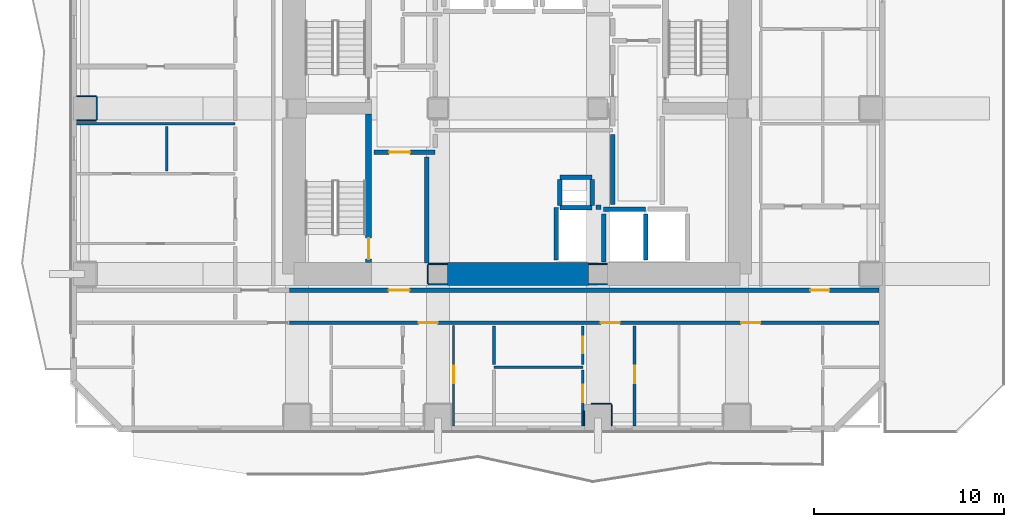
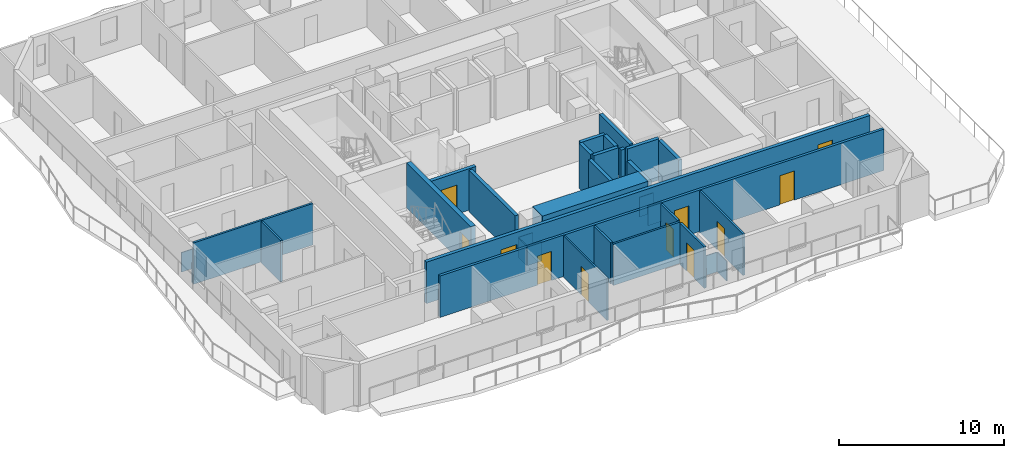
# One storey, part 3 of 12: 35 walls, 11 doors, 11 openings.
"""IFC4 building model written with IfcOpenShell, lengths in metres."""

from ifc_helpers import new_model, si_unit, direction, frame, frame_2d, origin, place, context, subcontext, project, spatial, rectangle, extrude, material, layer, layer_set, type_object, element, fill, save


model = new_model("IFC4")

# Units and contexts
model_context = context("Model", 3, precision=1e-05, world=origin(), true_north=direction((0.0, 1.0)))
body_context = subcontext(model_context, "Body", "Model", "MODEL_VIEW")
ifc_project = project(units=[si_unit("LENGTHUNIT", "METRE"), si_unit("AREAUNIT", "SQUARE_METRE"), si_unit("VOLUMEUNIT", "CUBIC_METRE"), si_unit("PLANEANGLEUNIT", "RADIAN"), si_unit("MASSUNIT", "GRAM", prefix="KILO")], contexts=[model_context])

# Site, building, storey
site_placement = place(None, origin())
site = spatial("IfcSite", under=ifc_project, at=site_placement, CompositionType="ELEMENT")
building_placement = place(site_placement, origin())
building = spatial("IfcBuilding", under=site, at=building_placement, Name="Solanera Arch Residences", CompositionType="ELEMENT")
storey_placement = place(building_placement, frame((0.0, 0.0, 81.760009765625)))
storey = spatial("IfcBuildingStorey", under=building, at=storey_placement, Name="L23", CompositionType="ELEMENT", Elevation=81.760009765625)

# Walls
ifc_material_1 = material(Name="Fire-Rated Gypsum Stud Partition", Category="gypsum")
ifc_layer_1 = layer(ifc_material_1, 0.06005859375)
ifc_layer_set_1 = layer_set([ifc_layer_1], Name="Fire-Rated Gypsum Stud Partition")
wall_type_1 = type_object("IfcWallType", Name="Column Acoustic Furring Wall 60", PredefinedType="PARTITIONING", material=ifc_layer_set_1)
for number, where, z_axis, x_axis, name in (
    (1, (20.300048828125, 21.468017578125, 0.0), (0.0, 0.0, 1.0), (1.0, 0.0, 0.0), "L23 Column Furring 1S"),
    (2, (20.300048828125, 22.531982421875, 0.0), (0.0, 0.0, 1.0), (1.0, 0.0, 0.0), "L23 Column Furring 1N"),
):
    element("IfcWall", number, at=place(storey_placement, frame(where, z_axis=z_axis, x_axis=x_axis)), inside=storey, type_object=wall_type_1, Name=name, PredefinedType="PARTITIONING", context=body_context, shape_type="SweptSolid", body=[
        extrude(rectangle(XDim=0.989990234375, YDim=0.06005859375, at=frame_2d((0.4951171875, 0.0))), origin(), (0.0, 0.0, 1.0), 1.449951171875),
    ])
wall_1_placement = place(storey_placement, frame((20.26806640625, 21.5, 0.0), z_axis=(0.0, 0.0, 1.0), x_axis=(0.0, 1.0, 0.0)))
element("IfcWall", 3, at=wall_1_placement, inside=storey, type_object=wall_type_1, Name="L23 Column Furring 1W", PredefinedType="PARTITIONING", context=body_context, shape_type="SweptSolid", body=[
    extrude(rectangle(XDim=1.0, YDim=0.06005859375, at=frame_2d((0.5, 0.0))), origin(), (0.0, 0.0, 1.0), 1.449951171875),
])
for number, where, z_axis, x_axis, name in (
    (4, (28.7099609375, 21.468017578125, 0.0), (0.0, 0.0, 1.0), (1.0, 0.0, 0.0), "L23 Column Furring 2S"),
    (5, (28.7099609375, 22.531982421875, 0.0), (0.0, 0.0, 1.0), (1.0, 0.0, 0.0), "L23 Column Furring 2N"),
):
    element("IfcWall", number, at=place(storey_placement, frame(where, z_axis=z_axis, x_axis=x_axis)), inside=storey, type_object=wall_type_1, Name=name, PredefinedType="PARTITIONING", context=body_context, shape_type="SweptSolid", body=[
        extrude(rectangle(XDim=0.97998046875, YDim=0.06005859375, at=frame_2d((0.489990234375, 0.0))), origin(), (0.0, 0.0, 1.0), 1.449951171875),
    ])
wall_2_placement = place(storey_placement, frame((28.84912109375, 15.181884765625, 0.0), z_axis=(0.0, 0.0, 1.0), x_axis=(1.0, 0.0, 0.0)))
element("IfcWall", 6, at=wall_2_placement, inside=storey, type_object=wall_type_1, Name="L23 Column Furring 13N", PredefinedType="PARTITIONING", context=body_context, shape_type="SweptSolid", body=[
    extrude(rectangle(XDim=1.05078125, YDim=0.06005859375, at=frame_2d((0.525390625, 0.0))), origin(), (0.0, 0.0, 1.0), 1.449951171875),
])
wall_3_placement = place(storey_placement, frame((28.468017578125, 14.030029296875, 0.0), z_axis=(0.0, 0.0, 1.0), x_axis=(0.0, 1.0, 0.0)))
element("IfcWall", 7, at=wall_3_placement, inside=storey, type_object=wall_type_1, Name="L23 Column Furring 13W", PredefinedType="PARTITIONING", context=body_context, shape_type="SweptSolid", body=[
    extrude(rectangle(XDim=0.800048828125, YDim=0.06005859375, at=frame_2d((0.39990234375, 0.0))), origin(), (0.0, 0.0, 1.0), 1.449951171875),
])
wall_4_placement = place(storey_placement, frame((29.931884765625, 14.030029296875, 0.0), z_axis=(0.0, 0.0, 1.0), x_axis=(0.0, 1.0, 0.0)))
element("IfcWall", 8, at=wall_4_placement, inside=storey, type_object=wall_type_1, Name="L23 Column Furring 13E", PredefinedType="PARTITIONING", context=body_context, shape_type="SweptSolid", body=[
    extrude(rectangle(XDim=1.119873046875, YDim=0.06005859375, at=frame_2d((0.56005859375, 0.0))), origin(), (0.0, 0.0, 1.0), 1.449951171875),
])
for number, where, z_axis, x_axis, name in (
    (9, (1.830078125, 30.068115234375, 0.0), (0.0, 0.0, 1.0), (1.0, 0.0, 0.0), "L23 Column Furring 19S"),
    (10, (1.830078125, 31.33203125, 0.0), (0.0, 0.0, 1.0), (1.0, 0.0, 0.0), "L23 Column Furring 19N"),
):
    element("IfcWall", number, at=place(storey_placement, frame(where, z_axis=z_axis, x_axis=x_axis)), inside=storey, type_object=wall_type_1, Name=name, PredefinedType="PARTITIONING", context=body_context, shape_type="SweptSolid", body=[
        extrude(rectangle(XDim=1.02001953125, YDim=0.06005859375, at=frame_2d((0.510009765625, 0.0))), origin(), (0.0, 0.0, 1.0), 1.449951171875),
    ])
wall_5_placement = place(storey_placement, frame((2.882080078125, 30.10009765625, 0.0), z_axis=(0.0, 0.0, 1.0), x_axis=(0.0, 1.0, 0.0)))
element("IfcWall", 11, at=wall_5_placement, inside=storey, type_object=wall_type_1, Name="L23 Column Furring 19E", PredefinedType="PARTITIONING", context=body_context, shape_type="SweptSolid", body=[
    extrude(rectangle(XDim=1.199951171875, YDim=0.06005859375, at=frame_2d((0.60009765625, 0.0))), origin(), (0.0, 0.0, 1.0), 1.449951171875),
])
ifc_material_2 = material(Name="Concrete C55/67 (f'c = 60 MPa)", Category="concrete")
ifc_layer_2 = layer(ifc_material_2, 1.199951171875)
ifc_layer_set_2 = layer_set([ifc_layer_2], Name="Concrete C55/67 (f'c = 60 MPa)")
wall_type_2 = type_object("IfcWallType", Name="Core Shear Wall CW-1200", PredefinedType="SHEAR", material=ifc_layer_set_2)
wall_6_placement = place(storey_placement, frame((21.304931640625, 22.0, 0.0), z_axis=(0.0, 0.0, 1.0), x_axis=(1.0, 0.0, 0.0)))
element("IfcWall", 12, at=wall_6_placement, inside=storey, type_object=wall_type_2, Name="L23 Central South Core Shear Wall", PredefinedType="SHEAR", context=body_context, shape_type="SweptSolid", body=[
    extrude(rectangle(XDim=7.39013671875, YDim=1.199951171875, at=frame_2d((3.695068359375, 0.0))), origin(), (0.0, 0.0, 1.0), 3.320068359375),
])

# Wall, opening, door
ifc_material_3 = material(Name="Concrete C40/50 (f'c = 45 MPa)", Category="concrete")
ifc_layer_3 = layer(ifc_material_3, 0.320068359375)
ifc_layer_set_3 = layer_set([ifc_layer_3], Name="Concrete C40/50 (f'c = 45 MPa)")
wall_type_3 = type_object("IfcWallType", Name="Core Shear Wall CW-320", PredefinedType="SHEAR", material=ifc_layer_set_3)
wall_7_placement = place(storey_placement, frame((17.159912109375, 22.60009765625, 0.0), z_axis=(0.0, 0.0, 1.0), x_axis=(0.0, 1.0, 0.0)))
wall_7 = element("IfcWall", 13, at=wall_7_placement, inside=storey, type_object=wall_type_3, Name="L23 Stair ST-T3 East Shear Wall", PredefinedType="SHEAR", context=body_context, shape_type="SweptSolid", body=[
    extrude(rectangle(XDim=7.7998046875, YDim=0.320068359375, at=frame_2d((3.89990234375, 0.0))), origin(), (0.0, 0.0, 1.0), 3.320068359375),
])
opening_1_placement = place(wall_7_placement, frame((0.18994140625, 0.0, 0.0)))
opening_1 = element("IfcOpeningElement", 14, at=opening_1_placement, cuts=wall_7, Name="Opening DF-01", PredefinedType="OPENING", context=body_context, shape_type="SweptSolid", body=[
    extrude(rectangle(XDim=1.10009765625, YDim=2.14990234375, at=frame_2d((0.550048828125, 1.074951171875))), frame((0.0, 0.169921875, 0.0), z_axis=(0.0, -1.0, 0.0), x_axis=(1.0, 0.0, 0.0)), (0.0, 0.0, 1.0), 0.3401),
])
ifc_material_4 = material(Name="Fire-Rated Architectural Hardwood", Category="wood")
door_type_1 = type_object("IfcDoorType", Name="Stair Exit Fire Door DF-01", OperationType="NOTDEFINED", PredefinedType="DOOR", material=ifc_material_4)
door_1_placement = place(opening_1_placement, origin())
door_1 = element("IfcDoor", 15, at=door_1_placement, inside=storey, type_object=door_type_1, Name="DR-L23-STAIR-ST-T3", OperationType="SINGLE_SWING_RIGHT", OverallHeight=2.14990234375, OverallWidth=1.10009765625, PredefinedType="DOOR", context=body_context, shape_type="SweptSolid", body=[
    extrude(rectangle(XDim=1.10009765625, YDim=2.14990234375, at=frame_2d((0.550048828125, 1.074951171875))), frame((0.0, 0.02490234375, 0.0), z_axis=(0.0, -1.0, 0.0), x_axis=(1.0, 0.0, 0.0)), (0.0, 0.0, 1.0), 0.050048828125),
])
fill(opening_1, door_1)

# Wall, openings, doors
ifc_material_5 = material(Name="Autoclaved Aerated Concrete Blockwork", Category="masonry")
ifc_layer_4 = layer(ifc_material_5, 0.179931640625)
ifc_layer_set_4 = layer_set([ifc_layer_4], Name="Autoclaved Aerated Concrete Blockwork")
wall_type_4 = type_object("IfcWallType", Name="Corridor Fire Partition 180", PredefinedType="PARTITIONING", material=ifc_layer_set_4)
wall_8_placement = place(storey_placement, frame((12.992919921875, 19.449951171875, 0.0), z_axis=(0.0, 0.0, 1.0), x_axis=(1.0, 0.0, 0.0)))
wall_8 = element("IfcWall", 16, at=wall_8_placement, inside=storey, type_object=wall_type_4, Name="L23 Interior Partition H8 3", PredefinedType="PARTITIONING", context=body_context, shape_type="SweptSolid", body=[
    extrude(rectangle(XDim=30.97998046875, YDim=0.179931640625, at=frame_2d((15.489990234375, 0.0))), origin(), (0.0, 0.0, 1.0), 3.06005859375),
])
opening_2_placement = place(wall_8_placement, frame((6.7880859375, 0.0, 0.0)))
opening_2 = element("IfcOpeningElement", 17, at=opening_2_placement, cuts=wall_8, Name="Opening DI-01", PredefinedType="OPENING", context=body_context, shape_type="SweptSolid", body=[
    extrude(rectangle(XDim=1.0, YDim=2.14990234375, at=frame_2d((0.5, 1.074951171875))), frame((0.0, 0.10009765625, 0.0), z_axis=(0.0, -1.0, 0.0), x_axis=(1.0, 0.0, 0.0)), (0.0, 0.0, 1.0), 0.1999),
])
opening_3_placement = place(wall_8_placement, frame((16.35595703125, 0.0, 0.0)))
opening_3 = element("IfcOpeningElement", 18, at=opening_3_placement, cuts=wall_8, Name="Opening DI-01", PredefinedType="OPENING", context=body_context, shape_type="SweptSolid", body=[
    extrude(rectangle(XDim=1.0, YDim=2.14990234375, at=frame_2d((0.5, 1.074951171875))), frame((0.0, 0.10009765625, 0.0), z_axis=(0.0, -1.0, 0.0), x_axis=(1.0, 0.0, 0.0)), (0.0, 0.0, 1.0), 0.1999),
])
opening_4_placement = place(wall_8_placement, frame((23.73291015625, 0.0, 0.0)))
opening_4 = element("IfcOpeningElement", 19, at=opening_4_placement, cuts=wall_8, Name="Opening DI-01", PredefinedType="OPENING", context=body_context, shape_type="SweptSolid", body=[
    extrude(rectangle(XDim=1.0, YDim=2.14990234375, at=frame_2d((0.5, 1.074951171875))), frame((0.0, 0.10009765625, 0.0), z_axis=(0.0, -1.0, 0.0), x_axis=(1.0, 0.0, 0.0)), (0.0, 0.0, 1.0), 0.1999),
])
ifc_material_6 = material(Name="Fire-Rated Architectural Hardwood", Category="wood")
door_type_2 = type_object("IfcDoorType", Name="Unit Entrance Fire Door DI-01", OperationType="NOTDEFINED", PredefinedType="DOOR", material=ifc_material_6)
door_2_placement = place(opening_2_placement, origin())
door_2 = element("IfcDoor", 20, at=door_2_placement, inside=storey, type_object=door_type_2, Name="DR-L23-IN-016", OperationType="SINGLE_SWING_LEFT", OverallHeight=2.14990234375, OverallWidth=1.0, PredefinedType="DOOR", context=body_context, shape_type="SweptSolid", body=[
    extrude(rectangle(XDim=1.0, YDim=2.14990234375, at=frame_2d((0.5, 1.074951171875))), frame((0.0, 0.02490234375, 0.0), z_axis=(0.0, -1.0, 0.0), x_axis=(1.0, 0.0, 0.0)), (0.0, 0.0, 1.0), 0.050048828125),
])
fill(opening_2, door_2)
door_3_placement = place(opening_3_placement, origin())
door_3 = element("IfcDoor", 21, at=door_3_placement, inside=storey, type_object=door_type_2, Name="DR-L23-IN-020", OperationType="SINGLE_SWING_LEFT", OverallHeight=2.14990234375, OverallWidth=1.0, PredefinedType="DOOR", context=body_context, shape_type="SweptSolid", body=[
    extrude(rectangle(XDim=1.0, YDim=2.14990234375, at=frame_2d((0.5, 1.074951171875))), frame((0.0, 0.02490234375, 0.0), z_axis=(0.0, -1.0, 0.0), x_axis=(1.0, 0.0, 0.0)), (0.0, 0.0, 1.0), 0.050048828125),
])
fill(opening_3, door_3)
door_4_placement = place(opening_4_placement, origin())
door_4 = element("IfcDoor", 22, at=door_4_placement, inside=storey, type_object=door_type_2, Name="DR-L23-IN-024", OperationType="SINGLE_SWING_LEFT", OverallHeight=2.14990234375, OverallWidth=1.0, PredefinedType="DOOR", context=body_context, shape_type="SweptSolid", body=[
    extrude(rectangle(XDim=1.0, YDim=2.14990234375, at=frame_2d((0.5, 1.074951171875))), frame((0.0, 0.02490234375, 0.0), z_axis=(0.0, -1.0, 0.0), x_axis=(1.0, 0.0, 0.0)), (0.0, 0.0, 1.0), 0.050048828125),
])
fill(opening_4, door_4)

# Walls
ifc_material_7 = material(Name="Concrete C40/50 (f'c = 45 MPa)", Category="concrete")
ifc_layer_5 = layer(ifc_material_7, 0.239990234375)
ifc_layer_set_5 = layer_set([ifc_layer_5], Name="Concrete C40/50 (f'c = 45 MPa)")
wall_type_5 = type_object("IfcWallType", Name="Ramp Bearing Shear Wall RW-240", PredefinedType="SHEAR", material=ifc_layer_set_5)
for number, where, z_axis, x_axis, name in (
    (23, (27.199951171875, 25.47998046875, 0.0), (0.0, 0.0, 1.0), (1.0, 0.0, 0.0), "L23 Core MEP Riser South Shaft Wall"),
    (24, (27.199951171875, 27.080078125, 0.0), (0.0, 0.0, 1.0), (1.0, 0.0, 0.0), "L23 Core MEP Riser North Shaft Wall"),
):
    element("IfcWall", number, at=place(storey_placement, frame(where, z_axis=z_axis, x_axis=x_axis)), inside=storey, type_object=wall_type_5, Name=name, PredefinedType="SHEAR", context=body_context, shape_type="SweptSolid", body=[
        extrude(rectangle(XDim=1.699951171875, YDim=0.239990234375, at=frame_2d((0.85009765625, 0.0))), origin(), (0.0, 0.0, 1.0), 3.320068359375),
    ])
for number, where, z_axis, x_axis, name in (
    (25, (27.199951171875, 25.60009765625, 0.0), (0.0, 0.0, 1.0), (0.0, 1.0, 0.0), "L23 Core MEP Riser West Shaft Wall"),
    (26, (28.89990234375, 25.60009765625, 0.0), (0.0, 0.0, 1.0), (0.0, 1.0, 0.0), "L23 Core MEP Riser East Shaft Wall"),
):
    element("IfcWall", number, at=place(storey_placement, frame(where, z_axis=z_axis, x_axis=x_axis)), inside=storey, type_object=wall_type_5, Name=name, PredefinedType="SHEAR", context=body_context, shape_type="SweptSolid", body=[
        extrude(rectangle(XDim=1.35986328125, YDim=0.239990234375, at=frame_2d((0.679931640625, 0.0))), origin(), (0.0, 0.0, 1.0), 3.320068359375),
    ])
ifc_material_8 = material(Name="Autoclaved Aerated Concrete Blockwork", Category="masonry")
ifc_layer_6 = layer(ifc_material_8, 0.239990234375)
ifc_layer_set_6 = layer_set([ifc_layer_6], Name="Autoclaved Aerated Concrete Blockwork")
wall_type_6 = type_object("IfcWallType", Name="Shaft Wall Fire-Rated 240", PredefinedType="PARTITIONING", material=ifc_layer_set_6)
wall_9_placement = place(storey_placement, frame((29.5, 25.39990234375, 0.0), z_axis=(0.0, 0.0, 1.0), x_axis=(1.0, 0.0, 0.0)))
element("IfcWall", 27, at=wall_9_placement, inside=storey, type_object=wall_type_6, Name="L23 Lift FFL-1 Hoistway Wall N", PredefinedType="PARTITIONING", context=body_context, shape_type="SweptSolid", body=[
    extrude(rectangle(XDim=2.199951171875, YDim=0.239990234375, at=frame_2d((1.10009765625, 0.0))), origin(), (0.0, 0.0, 1.0), 3.06005859375),
])
wall_10_placement = place(storey_placement, frame((29.5, 22.632080078125, 0.0), z_axis=(0.0, 0.0, 1.0), x_axis=(0.0, 1.0, 0.0)))
element("IfcWall", 28, at=wall_10_placement, inside=storey, type_object=wall_type_6, Name="L23 Lift FFL-1 Hoistway Wall W", PredefinedType="PARTITIONING", context=body_context, shape_type="SweptSolid", body=[
    extrude(rectangle(XDim=2.52001953125, YDim=0.239990234375, at=frame_2d((1.260009765625, 0.0))), origin(), (0.0, 0.0, 1.0), 2.294921875),
])
wall_11_placement = place(storey_placement, frame((31.699951171875, 22.72998046875, 0.0), z_axis=(0.0, 0.0, 1.0), x_axis=(0.0, 1.0, 0.0)))
element("IfcWall", 29, at=wall_11_placement, inside=storey, type_object=wall_type_6, Name="L23 Lift FFL-1 Hoistway Wall E", PredefinedType="PARTITIONING", context=body_context, shape_type="SweptSolid", body=[
    extrude(rectangle(XDim=2.422119140625, YDim=0.239990234375, at=frame_2d((1.2109375, 0.0))), origin(), (0.0, 0.0, 1.0), 3.06005859375),
])
wall_12_placement = place(storey_placement, frame((29.10302734375, 25.5, 0.0), z_axis=(0.0, 0.0, 1.0), x_axis=(1.0, 0.0, 0.0)))
element("IfcWall", 30, at=wall_12_placement, inside=storey, type_object=wall_type_6, Name="L23 Lift SVL-1 Hoistway Wall N", PredefinedType="PARTITIONING", context=body_context, shape_type="SweptSolid", body=[
    extrude(rectangle(XDim=0.26904296875, YDim=0.239990234375, at=frame_2d((0.134521484375, 0.0))), origin(), (0.0, 0.0, 1.0), 3.06005859375),
])
wall_13_placement = place(storey_placement, frame((27.0, 22.72998046875, 0.0), z_axis=(0.0, 0.0, 1.0), x_axis=(0.0, 1.0, 0.0)))
element("IfcWall", 31, at=wall_13_placement, inside=storey, type_object=wall_type_6, Name="L23 Lift SVL-1 Hoistway Wall W", PredefinedType="PARTITIONING", context=body_context, shape_type="SweptSolid", body=[
    extrude(rectangle(XDim=2.76806640625, YDim=0.239990234375, at=frame_2d((1.384033203125, 0.0))), origin(), (0.0, 0.0, 1.0), 3.06005859375),
])

# Wall, openings, doors
wall_14_placement = place(storey_placement, frame((12.992919921875, 21.14990234375, 0.0), z_axis=(0.0, 0.0, 1.0), x_axis=(1.0, 0.0, 0.0)))
wall_14 = element("IfcWall", 32, at=wall_14_placement, inside=storey, type_object=wall_type_6, Name="L23 Interior Partition H1 3", PredefinedType="PARTITIONING", context=body_context, shape_type="SweptSolid", body=[
    extrude(rectangle(XDim=30.97998046875, YDim=0.239990234375, at=frame_2d((15.489990234375, 0.0))), origin(), (0.0, 0.0, 1.0), 3.06005859375),
])
opening_5_placement = place(wall_14_placement, frame((5.217041015625, 0.0, 0.0)))
opening_5 = element("IfcOpeningElement", 33, at=opening_5_placement, cuts=wall_14, Name="Opening DF-02", PredefinedType="OPENING", context=body_context, shape_type="SweptSolid", body=[
    extrude(rectangle(XDim=1.10009765625, YDim=2.14990234375, at=frame_2d((0.550048828125, 1.074951171875))), frame((0.0, 0.1298828125, 0.0), z_axis=(0.0, -1.0, 0.0), x_axis=(1.0, 0.0, 0.0)), (0.0, 0.0, 1.0), 0.26),
])
opening_6_placement = place(wall_14_placement, frame((27.35791015625, 0.0, 0.0)))
opening_6 = element("IfcOpeningElement", 34, at=opening_6_placement, cuts=wall_14, Name="Opening DI-01", PredefinedType="OPENING", context=body_context, shape_type="SweptSolid", body=[
    extrude(rectangle(XDim=1.0, YDim=2.14990234375, at=frame_2d((0.5, 1.074951171875))), frame((0.0, 0.1298828125, 0.0), z_axis=(0.0, -1.0, 0.0), x_axis=(1.0, 0.0, 0.0)), (0.0, 0.0, 1.0), 0.26),
])
ifc_material_9 = material(Name="Fire-Rated Architectural Hardwood", Category="wood")
door_type_3 = type_object("IfcDoorType", Name="Firefighting Lobby Fire Door DF-02", OperationType="NOTDEFINED", PredefinedType="DOOR", material=ifc_material_9)
door_5_placement = place(opening_5_placement, origin())
door_5 = element("IfcDoor", 35, at=door_5_placement, inside=storey, type_object=door_type_3, Name="DR-L23-IN-008", OperationType="SINGLE_SWING_LEFT", OverallHeight=2.14990234375, OverallWidth=1.10009765625, PredefinedType="DOOR", context=body_context, shape_type="SweptSolid", body=[
    extrude(rectangle(XDim=1.10009765625, YDim=2.14990234375, at=frame_2d((0.550048828125, 1.074951171875))), frame((0.0, 0.02490234375, 0.0), z_axis=(0.0, -1.0, 0.0), x_axis=(1.0, 0.0, 0.0)), (0.0, 0.0, 1.0), 0.050048828125),
])
fill(opening_5, door_5)
door_6_placement = place(opening_6_placement, origin())
door_6 = element("IfcDoor", 36, at=door_6_placement, inside=storey, type_object=door_type_2, Name="DR-L23-IN-050", OperationType="SINGLE_SWING_LEFT", OverallHeight=2.14990234375, OverallWidth=1.0, PredefinedType="DOOR", context=body_context, shape_type="SweptSolid", body=[
    extrude(rectangle(XDim=1.0, YDim=2.14990234375, at=frame_2d((0.5, 1.074951171875))), frame((0.0, 0.02490234375, 0.0), z_axis=(0.0, -1.0, 0.0), x_axis=(1.0, 0.0, 0.0)), (0.0, 0.0, 1.0), 0.050048828125),
])
fill(opening_6, door_6)

# Wall, opening, door
wall_15_placement = place(storey_placement, frame((17.449951171875, 28.39990234375, 0.0), z_axis=(0.0, 0.0, 1.0), x_axis=(1.0, 0.0, 0.0)))
wall_15 = element("IfcWall", 37, at=wall_15_placement, inside=storey, type_object=wall_type_6, Name="L23 Interior Partition H4", PredefinedType="PARTITIONING", context=body_context, shape_type="SweptSolid", body=[
    extrude(rectangle(XDim=3.199951171875, YDim=0.239990234375, at=frame_2d((1.60009765625, 0.0))), origin(), (0.0, 0.0, 1.0), 3.06005859375),
])
opening_7_placement = place(wall_15_placement, frame((0.783935546875, 0.0, 0.0)))
opening_7 = element("IfcOpeningElement", 38, at=opening_7_placement, cuts=wall_15, Name="Opening DF-02", PredefinedType="OPENING", context=body_context, shape_type="SweptSolid", body=[
    extrude(rectangle(XDim=1.10009765625, YDim=2.14990234375, at=frame_2d((0.550048828125, 1.074951171875))), frame((0.0, 0.1298828125, 0.0), z_axis=(0.0, -1.0, 0.0), x_axis=(1.0, 0.0, 0.0)), (0.0, 0.0, 1.0), 0.26),
])
door_7_placement = place(opening_7_placement, origin())
door_7 = element("IfcDoor", 39, at=door_7_placement, inside=storey, type_object=door_type_3, Name="DR-L23-IN-004", OperationType="SINGLE_SWING_LEFT", OverallHeight=2.14990234375, OverallWidth=1.10009765625, PredefinedType="DOOR", context=body_context, shape_type="SweptSolid", body=[
    extrude(rectangle(XDim=1.10009765625, YDim=2.14990234375, at=frame_2d((0.550048828125, 1.074951171875))), frame((0.0, 0.02490234375, 0.0), z_axis=(0.0, -1.0, 0.0), x_axis=(1.0, 0.0, 0.0)), (0.0, 0.0, 1.0), 0.050048828125),
])
fill(opening_7, door_7)

# Walls
wall_16_placement = place(storey_placement, frame((20.199951171875, 22.5859375, 0.0), z_axis=(0.0, 0.0, 1.0), x_axis=(0.0, 1.0, 0.0)))
element("IfcWall", 40, at=wall_16_placement, inside=storey, type_object=wall_type_6, Name="L23 Interior Partition V2", PredefinedType="PARTITIONING", context=body_context, shape_type="SweptSolid", body=[
    extrude(rectangle(XDim=5.566162109375, YDim=0.239990234375, at=frame_2d((2.783203125, 0.0))), origin(), (0.0, 0.0, 1.0), 3.06005859375),
])
wall_17_placement = place(storey_placement, frame((29.97509765625, 25.64794921875, 0.0), z_axis=(0.0, 0.0, 1.0), x_axis=(0.0, 1.0, 0.0)))
element("IfcWall", 41, at=wall_17_placement, inside=storey, type_object=wall_type_6, Name="L23 Interior Partition V4 1", PredefinedType="PARTITIONING", context=body_context, shape_type="SweptSolid", body=[
    extrude(rectangle(XDim=3.68408203125, YDim=0.239990234375, at=frame_2d((1.842041015625, 0.0))), origin(), (0.0, 0.0, 1.0), 3.06005859375),
])

# Wall, opening, door
ifc_material_10 = material(Name="Fire-Rated Gypsum Stud Partition", Category="gypsum")
ifc_layer_7 = layer(ifc_material_10, 0.1201171875)
ifc_layer_set_7 = layer_set([ifc_layer_7], Name="Fire-Rated Gypsum Stud Partition")
wall_type_7 = type_object("IfcWallType", Name="Unit Drywall Partition 120", PredefinedType="PARTITIONING", material=ifc_layer_set_7)
wall_18_placement = place(storey_placement, frame((21.6201171875, 14.027099609375, 0.0), z_axis=(0.0, 0.0, 1.0), x_axis=(0.0, 1.0, 0.0)))
wall_18 = element("IfcWall", 42, at=wall_18_placement, inside=storey, type_object=wall_type_7, Name="L23 Interior Partition V29", PredefinedType="PARTITIONING", context=body_context, shape_type="SweptSolid", body=[
    extrude(rectangle(XDim=5.264892578125, YDim=0.1201171875, at=frame_2d((2.63232421875, 0.0))), origin(), (0.0, 0.0, 1.0), 3.06005859375),
])
opening_8_placement = place(wall_18_placement, frame((2.248046875, 0.0, 0.0)))
opening_8 = element("IfcOpeningElement", 43, at=opening_8_placement, cuts=wall_18, Name="Opening DI-02", PredefinedType="OPENING", context=body_context, shape_type="SweptSolid", body=[
    extrude(rectangle(XDim=0.89990234375, YDim=2.10009765625, at=frame_2d((0.449951171875, 1.050048828125))), frame((0.0, 0.070068359375, 0.0), z_axis=(0.0, -1.0, 0.0), x_axis=(1.0, 0.0, 0.0)), (0.0, 0.0, 1.0), 0.1401),
])
ifc_material_11 = material(Name="Fire-Rated Architectural Hardwood", Category="wood")
door_type_4 = type_object("IfcDoorType", Name="Suite Room Swing Door DI-02", OperationType="NOTDEFINED", PredefinedType="DOOR", material=ifc_material_11)
door_8_placement = place(opening_8_placement, origin())
door_8 = element("IfcDoor", 44, at=door_8_placement, inside=storey, type_object=door_type_4, Name="DR-L23-IN-019", OperationType="SINGLE_SWING_RIGHT", OverallHeight=2.10009765625, OverallWidth=0.89990234375, PredefinedType="DOOR", context=body_context, shape_type="SweptSolid", body=[
    extrude(rectangle(XDim=0.89990234375, YDim=2.10009765625, at=frame_2d((0.449951171875, 1.050048828125))), frame((0.0, 0.02490234375, 0.0), z_axis=(0.0, -1.0, 0.0), x_axis=(1.0, 0.0, 0.0)), (0.0, 0.0, 1.0), 0.050048828125),
])
fill(opening_8, door_8)

# Walls
ifc_material_12 = material(Name="Autoclaved Aerated Concrete Blockwork", Category="masonry")
ifc_layer_8 = layer(ifc_material_12, 0.139892578125)
ifc_layer_set_8 = layer_set([ifc_layer_8], Name="Autoclaved Aerated Concrete Blockwork")
wall_type_8 = type_object("IfcWallType", Name="Wet-Room Partition 140", PredefinedType="PARTITIONING", material=ifc_layer_set_8)
wall_19_placement = place(storey_placement, frame((23.741943359375, 17.10693359375, 0.0), z_axis=(0.0, 0.0, 1.0), x_axis=(1.0, 0.0, 0.0)))
element("IfcWall", 45, at=wall_19_placement, inside=storey, type_object=wall_type_8, Name="L23 Interior Partition H17", PredefinedType="PARTITIONING", context=body_context, shape_type="SweptSolid", body=[
    extrude(rectangle(XDim=4.6669921875, YDim=0.139892578125, at=frame_2d((2.33349609375, 0.0))), origin(), (0.0, 0.0, 1.0), 3.06005859375),
])
wall_20_placement = place(storey_placement, frame((1.826904296875, 29.89990234375, 0.0), z_axis=(0.0, 0.0, 1.0), x_axis=(1.0, 0.0, 0.0)))
element("IfcWall", 46, at=wall_20_placement, inside=storey, type_object=wall_type_8, Name="L23 Interior Partition H20", PredefinedType="PARTITIONING", context=body_context, shape_type="SweptSolid", body=[
    extrude(rectangle(XDim=8.322998046875, YDim=0.139892578125, at=frame_2d((4.16162109375, 0.0))), origin(), (0.0, 0.0, 1.0), 3.06005859375),
])
wall_21_placement = place(storey_placement, frame((6.55908203125, 27.423095703125, 0.0), z_axis=(0.0, 0.0, 1.0), x_axis=(0.0, 1.0, 0.0)))
element("IfcWall", 47, at=wall_21_placement, inside=storey, type_object=wall_type_8, Name="L23 Interior Partition V16", PredefinedType="PARTITIONING", context=body_context, shape_type="SweptSolid", body=[
    extrude(rectangle(XDim=2.328857421875, YDim=0.139892578125, at=frame_2d((1.16455078125, 0.0))), origin(), (0.0, 0.0, 1.0), 3.06005859375),
])
wall_22_placement = place(storey_placement, frame((23.741943359375, 17.2548828125, 0.0), z_axis=(0.0, 0.0, 1.0), x_axis=(0.0, 1.0, 0.0)))
element("IfcWall", 48, at=wall_22_placement, inside=storey, type_object=wall_type_8, Name="L23 Interior Partition V19 2", PredefinedType="PARTITIONING", context=body_context, shape_type="SweptSolid", body=[
    extrude(rectangle(XDim=2.027099609375, YDim=0.139892578125, at=frame_2d((1.013671875, 0.0))), origin(), (0.0, 0.0, 1.0), 3.06005859375),
])

# Wall, opening, door
wall_23_placement = place(storey_placement, frame((28.408935546875, 14.027099609375, 0.0), z_axis=(0.0, 0.0, 1.0), x_axis=(0.0, 1.0, 0.0)))
wall_23 = element("IfcWall", 49, at=wall_23_placement, inside=storey, type_object=wall_type_8, Name="L23 Interior Partition V22 1", PredefinedType="PARTITIONING", context=body_context, shape_type="SweptSolid", body=[
    extrude(rectangle(XDim=2.931884765625, YDim=0.139892578125, at=frame_2d((1.4658203125, 0.0))), origin(), (0.0, 0.0, 1.0), 3.06005859375),
])
opening_9_placement = place(wall_23_placement, frame((1.2490234375, 0.0, 0.0)))
opening_9 = element("IfcOpeningElement", 50, at=opening_9_placement, cuts=wall_23, Name="Opening DI-03", PredefinedType="OPENING", context=body_context, shape_type="SweptSolid", body=[
    extrude(rectangle(XDim=0.89990234375, YDim=2.10009765625, at=frame_2d((0.449951171875, 1.050048828125))), frame((0.0, 0.079833984375, 0.0), z_axis=(0.0, -1.0, 0.0), x_axis=(1.0, 0.0, 0.0)), (0.0, 0.0, 1.0), 0.1599),
])
ifc_material_13 = material(Name="Fire-Rated Architectural Hardwood", Category="wood")
door_type_5 = type_object("IfcDoorType", Name="Bedroom Swing Door DI-03", OperationType="NOTDEFINED", PredefinedType="DOOR", material=ifc_material_13)
door_9_placement = place(opening_9_placement, origin())
door_9 = element("IfcDoor", 51, at=door_9_placement, inside=storey, type_object=door_type_5, Name="DR-L23-IN-022", OperationType="SINGLE_SWING_LEFT", OverallHeight=2.10009765625, OverallWidth=0.89990234375, PredefinedType="DOOR", context=body_context, shape_type="SweptSolid", body=[
    extrude(rectangle(XDim=0.89990234375, YDim=2.10009765625, at=frame_2d((0.449951171875, 1.050048828125))), frame((0.0, 0.02490234375, 0.0), z_axis=(0.0, -1.0, 0.0), x_axis=(1.0, 0.0, 0.0)), (0.0, 0.0, 1.0), 0.050048828125),
])
fill(opening_9, door_9)

wall_24_placement = place(storey_placement, frame((28.408935546875, 17.2548828125, 0.0), z_axis=(0.0, 0.0, 1.0), x_axis=(0.0, 1.0, 0.0)))
wall_24 = element("IfcWall", 52, at=wall_24_placement, inside=storey, type_object=wall_type_8, Name="L23 Interior Partition V22 2", PredefinedType="PARTITIONING", context=body_context, shape_type="SweptSolid", body=[
    extrude(rectangle(XDim=2.027099609375, YDim=0.139892578125, at=frame_2d((1.013671875, 0.0))), origin(), (0.0, 0.0, 1.0), 3.06005859375),
])
opening_10_placement = place(wall_24_placement, frame((0.5810546875, 0.0, 0.0)))
opening_10 = element("IfcOpeningElement", 53, at=opening_10_placement, cuts=wall_24, Name="Opening DI-05", PredefinedType="OPENING", context=body_context, shape_type="SweptSolid", body=[
    extrude(rectangle(XDim=0.860107421875, YDim=2.02001953125, at=frame_2d((0.43017578125, 1.010009765625))), frame((0.0, 0.079833984375, 0.0), z_axis=(0.0, -1.0, 0.0), x_axis=(1.0, 0.0, 0.0)), (0.0, 0.0, 1.0), 0.1599),
])
ifc_material_14 = material(Name="Fire-Rated Architectural Hardwood", Category="wood")
door_type_6 = type_object("IfcDoorType", Name="Bathroom Swing Door DI-05", OperationType="NOTDEFINED", PredefinedType="DOOR", material=ifc_material_14)
door_10_placement = place(opening_10_placement, origin())
door_10 = element("IfcDoor", 54, at=door_10_placement, inside=storey, type_object=door_type_6, Name="DR-L23-IN-021", OperationType="SINGLE_SWING_RIGHT", OverallHeight=2.02001953125, OverallWidth=0.860107421875, PredefinedType="DOOR", context=body_context, shape_type="SweptSolid", body=[
    extrude(rectangle(XDim=0.860107421875, YDim=2.02001953125, at=frame_2d((0.43017578125, 1.010009765625))), frame((0.0, 0.02490234375, 0.0), z_axis=(0.0, -1.0, 0.0), x_axis=(1.0, 0.0, 0.0)), (0.0, 0.0, 1.0), 0.050048828125),
])
fill(opening_10, door_10)

wall_25_placement = place(storey_placement, frame((31.1240234375, 14.027099609375, 0.0), z_axis=(0.0, 0.0, 1.0), x_axis=(0.0, 1.0, 0.0)))
wall_25 = element("IfcWall", 55, at=wall_25_placement, inside=storey, type_object=wall_type_8, Name="L23 Interior Partition V23", PredefinedType="PARTITIONING", context=body_context, shape_type="SweptSolid", body=[
    extrude(rectangle(XDim=5.2548828125, YDim=0.139892578125, at=frame_2d((2.62744140625, 0.0))), origin(), (0.0, 0.0, 1.0), 3.06005859375),
])
opening_11_placement = place(wall_25_placement, frame((2.248046875, 0.0, 0.0)))
opening_11 = element("IfcOpeningElement", 56, at=opening_11_placement, cuts=wall_25, Name="Opening DI-02", PredefinedType="OPENING", context=body_context, shape_type="SweptSolid", body=[
    extrude(rectangle(XDim=0.89990234375, YDim=2.10009765625, at=frame_2d((0.449951171875, 1.050048828125))), frame((0.0, 0.079833984375, 0.0), z_axis=(0.0, -1.0, 0.0), x_axis=(1.0, 0.0, 0.0)), (0.0, 0.0, 1.0), 0.1599),
])
door_11_placement = place(opening_11_placement, origin())
door_11 = element("IfcDoor", 57, at=door_11_placement, inside=storey, type_object=door_type_4, Name="DR-L23-IN-023", OperationType="SINGLE_SWING_RIGHT", OverallHeight=2.10009765625, OverallWidth=0.89990234375, PredefinedType="DOOR", context=body_context, shape_type="SweptSolid", body=[
    extrude(rectangle(XDim=0.89990234375, YDim=2.10009765625, at=frame_2d((0.449951171875, 1.050048828125))), frame((0.0, 0.02490234375, 0.0), z_axis=(0.0, -1.0, 0.0), x_axis=(1.0, 0.0, 0.0)), (0.0, 0.0, 1.0), 0.050048828125),
])
fill(opening_11, door_11)

save(model, "model.ifc")
